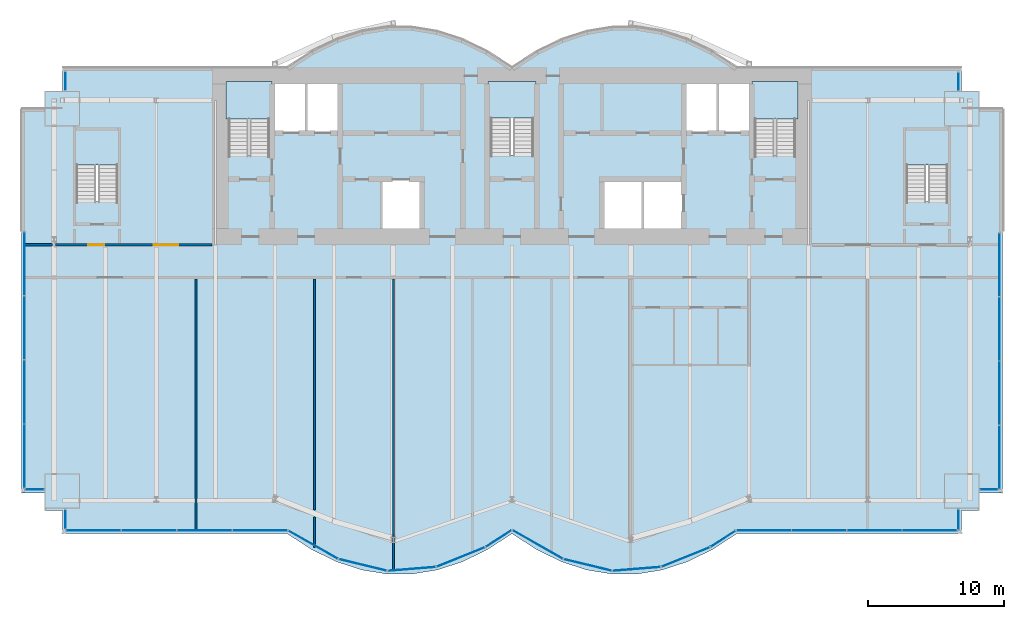
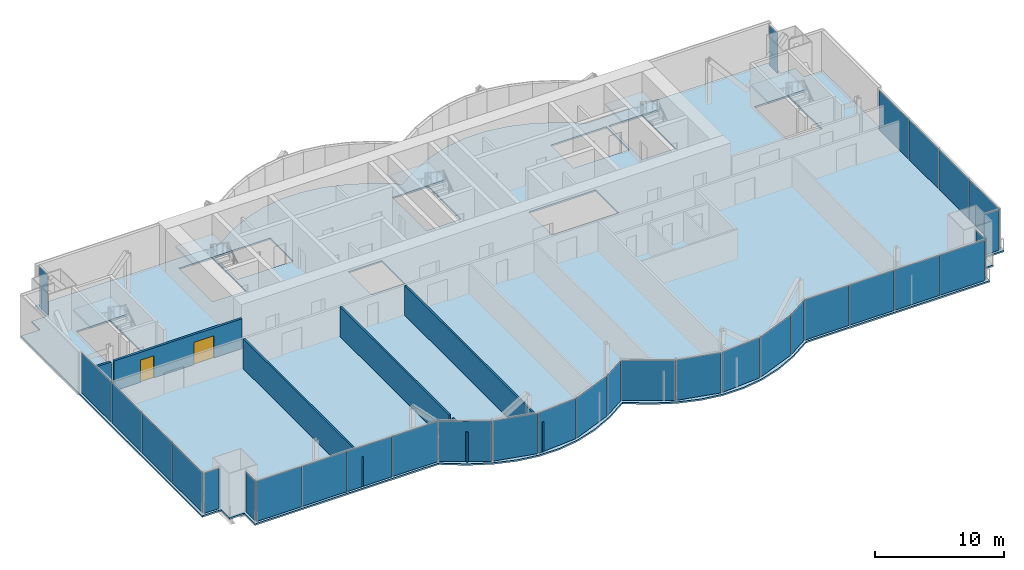
# One storey, part 14 of 21: 32 plates, 7 walls, 6 slabs, 2 doors, 2 openings, 17 elements without a shape of their own.
"""IFC4 building model written with IfcOpenShell, lengths in metres."""

from ifc_helpers import new_model, si_unit, direction, frame, frame_2d, origin, origin_2d, place, context, subcontext, project, spatial, polyline, rectangle, outline, extrude, material, layer, layer_set, type_object, element, fill, aggregate, save


model = new_model("IFC4")

# Units and contexts
model_context = context("Model", 3, precision=1e-05, world=origin(), true_north=direction((0.0, 1.0)))
body_context = subcontext(model_context, "Body", "Model", "MODEL_VIEW")
ifc_project = project(units=[si_unit("LENGTHUNIT", "METRE"), si_unit("AREAUNIT", "SQUARE_METRE"), si_unit("VOLUMEUNIT", "CUBIC_METRE"), si_unit("PLANEANGLEUNIT", "RADIAN"), si_unit("MASSUNIT", "GRAM", prefix="KILO")], contexts=[model_context])

# Site, building, storey
site_placement = place(None, origin())
site = spatial("IfcSite", under=ifc_project, at=site_placement, CompositionType="ELEMENT")
building_placement = place(site_placement, origin())
building = spatial("IfcBuilding", under=site, at=building_placement, Name="Bicima Exchange Tower", CompositionType="ELEMENT")
storey_placement = place(building_placement, frame((0.0, 0.0, 173.199951171875)))
storey = spatial("IfcBuildingStorey", under=building, at=storey_placement, Name="L38", CompositionType="ELEMENT", Elevation=173.199951171875)

# Slab
ifc_material_1 = material(Name="Concrete C40/50", Category="concrete")
ifc_layer_1 = layer(ifc_material_1, 0.14990234375)
ifc_layer_set_1 = layer_set([ifc_layer_1], Name="Concrete C40/50")
slab_type_1 = type_object("IfcSlabType", Name="Composite floor slab 150", PredefinedType="FLOOR", material=ifc_layer_set_1)
slab_1_placement = place(storey_placement, frame((0.0, 0.0, -0.14990234375)))
element("IfcSlab", 1, at=slab_1_placement, inside=storey, type_object=slab_type_1, Name="Floor slab", PredefinedType="FLOOR", context=body_context, shape_type="SweptSolid", body=[
    extrude(outline(polyline([(-36.0, -31.19189453125), (-36.0, -3.0), (-34.300048828125, -3.0), (-34.300048828125, -1.699951171875), (-33.0, -1.699951171875), (-33.0, 0.0), (-16.5, 0.0), (-14.666748046875, 1.185302734375), (-12.833251953125, 2.07421875), (-11.0, 2.666748046875), (-9.166748046875, 2.962890625), (-7.333251953125, 2.962890625), (-5.5, 2.666748046875), (-3.666748046875, 2.07421875), (-1.833251953125, 1.185302734375), (0.0, 0.0), (1.833251953125, 1.185302734375), (3.666748046875, 2.07421875), (5.5, 2.666748046875), (7.333251953125, 2.962890625), (9.166748046875, 2.962890625), (11.0, 2.666748046875), (12.833251953125, 2.07421875), (14.666748046875, 1.185302734375), (16.5, 0.0), (33.0, 0.0), (33.0, -1.699951171875), (34.300048828125, -1.699951171875), (34.300048828125, -3.0), (36.0, -3.0), (36.0, -31.19189453125), (34.300048828125, -31.19189453125), (34.300048828125, -32.491943359375), (33.0, -32.491943359375), (33.0, -34.19189453125), (16.5, -34.19189453125), (14.666748046875, -35.377197265625), (12.833251953125, -36.26611328125), (11.0, -36.858642578125), (9.166748046875, -37.155029296875), (7.333251953125, -37.155029296875), (5.5, -36.858642578125), (3.666748046875, -36.26611328125), (1.833251953125, -35.377197265625), (0.0, -34.19189453125), (-1.833251953125, -35.377197265625), (-3.666748046875, -36.26611328125), (-5.5, -36.858642578125), (-7.333251953125, -37.155029296875), (-9.166748046875, -37.155029296875), (-11.0, -36.858642578125), (-12.833251953125, -36.26611328125), (-14.666748046875, -35.377197265625), (-16.5, -34.19189453125), (-33.0, -34.19189453125), (-33.0, -32.491943359375), (-34.300048828125, -32.491943359375), (-34.300048828125, -31.19189453125), (-36.0, -31.19189453125)]), holes=[polyline([(-6.60009765625, -11.800048828125), (-6.60009765625, -8.199951171875), (-9.60009765625, -8.199951171875), (-9.60009765625, -11.800048828125), (-6.60009765625, -11.800048828125)]), polyline([(-31.97509765625, -9.824951171875), (-28.925048828125, -9.824951171875), (-28.925048828125, -4.625), (-31.97509765625, -4.625), (-31.97509765625, -9.824951171875)]), polyline([(-20.800048828125, -6.449951171875), (-17.800048828125, -6.449951171875), (-17.800048828125, -1.199951171875), (-20.800048828125, -1.199951171875), (-20.800048828125, -6.449951171875)]), polyline([(1.574951171875, -6.39990234375), (1.574951171875, -1.199951171875), (-1.574951171875, -1.199951171875), (-1.574951171875, -6.39990234375), (1.574951171875, -6.39990234375)]), polyline([(-12.60009765625, -4.800048828125), (-12.60009765625, -1.199951171875), (-15.10009765625, -1.199951171875), (-17.60009765625, -1.199951171875), (-17.60009765625, -4.800048828125), (-15.10009765625, -4.800048828125), (-12.60009765625, -4.800048828125)]), polyline([(12.60009765625, -8.199951171875), (9.60009765625, -8.199951171875), (6.60009765625, -8.199951171875), (6.60009765625, -11.800048828125), (9.60009765625, -11.800048828125), (12.60009765625, -11.800048828125), (12.60009765625, -8.199951171875)]), polyline([(28.925048828125, -9.824951171875), (31.97509765625, -9.824951171875), (31.97509765625, -4.625), (28.925048828125, -4.625), (28.925048828125, -9.824951171875)]), polyline([(20.800048828125, -6.449951171875), (20.800048828125, -1.199951171875), (17.800048828125, -1.199951171875), (17.800048828125, -6.449951171875), (20.800048828125, -6.449951171875)]), polyline([(17.60009765625, -4.800048828125), (17.60009765625, -1.199951171875), (15.10009765625, -1.199951171875), (12.60009765625, -1.199951171875), (12.60009765625, -4.800048828125), (15.10009765625, -4.800048828125), (17.60009765625, -4.800048828125)])]), origin(), (0.0, 0.0, 1.0), 0.14990234375),
])

# Curtain wall, plates
ifc_material_2 = material(Name="Anodised bronze aluminium", Category="aluminium")
curtain_wall_type_1 = type_object("IfcCurtainWallType", Name="End face glass wall", PredefinedType="NOTDEFINED", material=ifc_material_2)
curtain_wall_1_placement = place(storey_placement, origin())
curtain_wall_1 = element("IfcCurtainWall", 2, at=curtain_wall_1_placement, inside=storey, type_object=curtain_wall_type_1, Name="End face glass wall L38 run 2", PredefinedType="NOTDEFINED")
ifc_material_3 = material(Name="Bronze tinted glass", Category="glass")
ifc_layer_2 = layer(ifc_material_3, 0.031982421875)
ifc_layer_set_2 = layer_set([ifc_layer_2], Name="Bronze tinted glass")
plate_type_1 = type_object("IfcPlateType", Name="End face glass wall glass panel 32", PredefinedType="CURTAIN_PANEL", material=ifc_layer_set_2)
plate_1_placement = place(storey_placement, frame((-35.77001953125, -19.08837890625, 0.0), z_axis=(0.0, 0.0, 1.0), x_axis=(0.0, -1.0, 0.0)))
plate_1 = element("IfcPlate", 3, at=plate_1_placement, type_object=plate_type_1, Name="End face glass wall panel 2.1", PredefinedType="CURTAIN_PANEL", context=body_context, shape_type="SweptSolid", body=[
    extrude(rectangle(XDim=4.6455078125, YDim=0.031982421875, at=origin_2d()), origin(), (0.0, 0.0, 1.0), 3.81005859375),
])
plate_2_placement = place(storey_placement, frame((-35.77001953125, -28.499267578125, 0.0), z_axis=(0.0, 0.0, 1.0), x_axis=(0.0, -1.0, 0.0)))
plate_2 = element("IfcPlate", 4, at=plate_2_placement, type_object=plate_type_1, Name="End face glass wall panel 4.1", PredefinedType="CURTAIN_PANEL", context=body_context, shape_type="SweptSolid", body=[
    extrude(rectangle(XDim=4.6455078125, YDim=0.031982421875, at=origin_2d()), origin(), (0.0, 0.0, 1.0), 3.81005859375),
])

curtain_wall_2_placement = place(storey_placement, origin())
curtain_wall_2 = element("IfcCurtainWall", 5, at=curtain_wall_2_placement, inside=storey, type_object=curtain_wall_type_1, Name="End face glass wall L38 run 19", PredefinedType="NOTDEFINED")
plate_3_placement = place(storey_placement, frame((35.77001953125, -28.579345703125, 0.0), z_axis=(0.0, 0.0, 1.0), x_axis=(0.0, 1.0, 0.0)))
plate_3 = element("IfcPlate", 6, at=plate_3_placement, type_object=plate_type_1, Name="End face glass wall panel 1.1", PredefinedType="CURTAIN_PANEL", context=body_context, shape_type="SweptSolid", body=[
    extrude(rectangle(XDim=4.6455078125, YDim=0.031982421875, at=origin_2d()), origin(), (0.0, 0.0, 1.0), 3.81005859375),
])
plate_4_placement = place(storey_placement, frame((35.77001953125, -19.168212890625, 0.0), z_axis=(0.0, 0.0, 1.0), x_axis=(0.0, 1.0, 0.0)))
plate_4 = element("IfcPlate", 7, at=plate_4_placement, type_object=plate_type_1, Name="End face glass wall panel 3.1", PredefinedType="CURTAIN_PANEL", context=body_context, shape_type="SweptSolid", body=[
    extrude(rectangle(XDim=4.6455078125, YDim=0.031982421875, at=origin_2d()), origin(), (0.0, 0.0, 1.0), 3.81005859375),
])

# Plate
ifc_material_4 = material(Name="Bronze anodised aluminium", Category="aluminium")
ifc_layer_3 = layer(ifc_material_4, 0.031982421875)
ifc_layer_set_3 = layer_set([ifc_layer_3], Name="Bronze anodised aluminium")
plate_type_2 = type_object("IfcPlateType", Name="End face glass wall spandrel panel 32", PredefinedType="CURTAIN_PANEL", material=ifc_layer_set_3)
plate_5_placement = place(storey_placement, frame((-35.77001953125, -14.3828125, 0.0), z_axis=(0.0, 0.0, 1.0), x_axis=(0.0, -1.0, 0.0)))
plate_5 = element("IfcPlate", 8, at=plate_5_placement, type_object=plate_type_2, Name="End face spandrel wall panel 1.1", PredefinedType="CURTAIN_PANEL", context=body_context, shape_type="SweptSolid", body=[
    extrude(rectangle(XDim=4.6455078125, YDim=0.031982421875, at=origin_2d()), origin(), (0.0, 0.0, 1.0), 3.81005859375),
])

plate_6_placement = place(storey_placement, frame((-35.77001953125, -23.793701171875, 0.0), z_axis=(0.0, 0.0, 1.0), x_axis=(0.0, -1.0, 0.0)))
plate_6 = element("IfcPlate", 9, at=plate_6_placement, type_object=plate_type_2, Name="End face spandrel wall panel 3.1", PredefinedType="CURTAIN_PANEL", context=body_context, shape_type="SweptSolid", body=[
    extrude(rectangle(XDim=4.6455078125, YDim=0.031982421875, at=origin_2d()), origin(), (0.0, 0.0, 1.0), 3.81005859375),
])

aggregate(curtain_wall_1, [plate_5, plate_1, plate_6, plate_2])

plate_7_placement = place(storey_placement, frame((35.77001953125, -23.873779296875, 0.0), z_axis=(0.0, 0.0, 1.0), x_axis=(0.0, 1.0, 0.0)))
plate_7 = element("IfcPlate", 10, at=plate_7_placement, type_object=plate_type_2, Name="End face spandrel wall panel 2.1", PredefinedType="CURTAIN_PANEL", context=body_context, shape_type="SweptSolid", body=[
    extrude(rectangle(XDim=4.6455078125, YDim=0.031982421875, at=origin_2d()), origin(), (0.0, 0.0, 1.0), 3.81005859375),
])

plate_8_placement = place(storey_placement, frame((35.77001953125, -14.462646484375, 0.0), z_axis=(0.0, 0.0, 1.0), x_axis=(0.0, 1.0, 0.0)))
plate_8 = element("IfcPlate", 11, at=plate_8_placement, type_object=plate_type_2, Name="End face spandrel wall panel 4.1", PredefinedType="CURTAIN_PANEL", context=body_context, shape_type="SweptSolid", body=[
    extrude(rectangle(XDim=4.6455078125, YDim=0.031982421875, at=origin_2d()), origin(), (0.0, 0.0, 1.0), 3.81005859375),
])

aggregate(curtain_wall_2, [plate_3, plate_7, plate_4, plate_8])

# Curtain wall, plate
curtain_wall_type_2 = type_object("IfcCurtainWallType", Name="Front glass wall", PredefinedType="NOTDEFINED", material=ifc_material_2)
curtain_wall_3_placement = place(storey_placement, origin())
curtain_wall_3 = element("IfcCurtainWall", 12, at=curtain_wall_3_placement, inside=storey, type_object=curtain_wall_type_2, Name="Front glass wall L38 run 1", PredefinedType="NOTDEFINED")
ifc_layer_4 = layer(ifc_material_3, 0.031982421875)
ifc_layer_set_4 = layer_set([ifc_layer_4], Name="Bronze tinted glass")
plate_type_3 = type_object("IfcPlateType", Name="Front glass wall glass panel 32", PredefinedType="CURTAIN_PANEL", material=ifc_layer_set_4)
plate_9_placement = place(storey_placement, frame((-32.77001953125, -0.965087890625, 0.0), z_axis=(0.0, 0.0, 1.0), x_axis=(0.0, -1.0, 0.0)))
plate_9 = element("IfcPlate", 13, at=plate_9_placement, type_object=plate_type_3, Name="Front glass wall panel 1.1", PredefinedType="CURTAIN_PANEL", context=body_context, shape_type="SweptSolid", body=[
    extrude(rectangle(XDim=1.35009765625, YDim=0.031982421875, at=origin_2d()), origin(), (0.0, 0.0, 1.0), 3.81005859375),
])
aggregate(curtain_wall_3, [plate_9])

curtain_wall_4_placement = place(storey_placement, origin())
curtain_wall_4 = element("IfcCurtainWall", 14, at=curtain_wall_4_placement, inside=storey, type_object=curtain_wall_type_2, Name="Front glass wall L38 run 3", PredefinedType="NOTDEFINED")
plate_10_placement = place(storey_placement, frame((-35.034912109375, -30.9619140625, 0.0), z_axis=(0.0, 0.0, 1.0), x_axis=(1.0, 0.0, 0.0)))
plate_10 = element("IfcPlate", 15, at=plate_10_placement, type_object=plate_type_3, Name="Front glass wall panel 1.1", PredefinedType="CURTAIN_PANEL", context=body_context, shape_type="SweptSolid", body=[
    extrude(rectangle(XDim=1.35009765625, YDim=0.031982421875, at=origin_2d()), origin(), (0.0, 0.0, 1.0), 3.81005859375),
])
aggregate(curtain_wall_4, [plate_10])

curtain_wall_5_placement = place(storey_placement, origin())
curtain_wall_5 = element("IfcCurtainWall", 16, at=curtain_wall_5_placement, inside=storey, type_object=curtain_wall_type_2, Name="Front glass wall L38 run 4", PredefinedType="NOTDEFINED")
plate_11_placement = place(storey_placement, frame((-32.77001953125, -33.1259765625, 0.0), z_axis=(0.0, 0.0, 1.0), x_axis=(0.0, -1.0, 0.0)))
plate_11 = element("IfcPlate", 17, at=plate_11_placement, type_object=plate_type_3, Name="Front glass wall panel 1.1", PredefinedType="CURTAIN_PANEL", context=body_context, shape_type="SweptSolid", body=[
    extrude(rectangle(XDim=1.39208984375, YDim=0.031982421875, at=origin_2d()), origin(), (0.0, 0.0, 1.0), 3.81005859375),
])
aggregate(curtain_wall_5, [plate_11])

# Curtain wall, plates
curtain_wall_6_placement = place(storey_placement, origin())
curtain_wall_6 = element("IfcCurtainWall", 18, at=curtain_wall_6_placement, inside=storey, type_object=curtain_wall_type_2, Name="Front glass wall L38 run 5", PredefinedType="NOTDEFINED")
plate_12_placement = place(storey_placement, frame((-30.705322265625, -33.9619140625, 0.0), z_axis=(0.0, 0.0, 1.0), x_axis=(1.0, 0.0, 0.0)))
plate_12 = element("IfcPlate", 19, at=plate_12_placement, type_object=plate_type_3, Name="Front glass wall panel 1.1", PredefinedType="CURTAIN_PANEL", context=body_context, shape_type="SweptSolid", body=[
    extrude(rectangle(XDim=4.009521484375, YDim=0.031982421875, at=origin_2d()), origin(), (0.0, 0.0, 1.0), 3.81005859375),
])
plate_13_placement = place(storey_placement, frame((-18.496826171875, -33.9619140625, 0.0), z_axis=(0.0, 0.0, 1.0), x_axis=(1.0, 0.0, 0.0)))
plate_13 = element("IfcPlate", 20, at=plate_13_placement, type_object=plate_type_3, Name="Front glass wall panel 4.1", PredefinedType="CURTAIN_PANEL", context=body_context, shape_type="SweptSolid", body=[
    extrude(rectangle(XDim=4.009521484375, YDim=0.031982421875, at=origin_2d()), origin(), (0.0, 0.0, 1.0), 3.81005859375),
])

curtain_wall_7_placement = place(storey_placement, origin())
curtain_wall_7 = element("IfcCurtainWall", 21, at=curtain_wall_7_placement, inside=storey, type_object=curtain_wall_type_2, Name="Front glass wall L38 run 6", PredefinedType="NOTDEFINED")
plate_14_placement = place(storey_placement, frame((-14.589599609375, -35.007080078125, 0.0), z_axis=(0.0, 0.0, 1.0), x_axis=(0.869805110681, -0.493395449343, 0.0)))
plate_14 = element("IfcPlate", 22, at=plate_14_placement, type_object=plate_type_3, Name="Front glass wall panel 1.1", PredefinedType="CURTAIN_PANEL", context=body_context, shape_type="SweptSolid", body=[
    extrude(rectangle(XDim=4.1162109375, YDim=0.031982421875, at=origin_2d()), origin(), (0.0, 0.0, 1.0), 3.81005859375),
])
plate_15_placement = place(storey_placement, frame((-3.750244140625, -35.905517578125, 0.0), z_axis=(0.0, 0.0, 1.0), x_axis=(0.92714396679, 0.374705304, 0.0)))
plate_15 = element("IfcPlate", 23, at=plate_15_placement, type_object=plate_type_3, Name="Front glass wall panel 1.1", PredefinedType="CURTAIN_PANEL", context=body_context, shape_type="SweptSolid", body=[
    extrude(rectangle(XDim=3.771240234375, YDim=0.031982421875, at=origin_2d()), origin(), (0.0, 0.0, 1.0), 3.81005859375),
])
plate_16_placement = place(storey_placement, frame((-0.97314453125, -34.547119140625, 0.0), z_axis=(0.0, 0.0, 1.0), x_axis=(0.839798994301, 0.542897457326, 0.0)))
plate_16 = element("IfcPlate", 24, at=plate_16_placement, type_object=plate_type_3, Name="Front glass wall panel 1.1", PredefinedType="CURTAIN_PANEL", context=body_context, shape_type="SweptSolid", body=[
    extrude(rectangle(XDim=2.197509765625, YDim=0.031982421875, at=origin_2d()), origin(), (0.0, 0.0, 1.0), 3.81005859375),
])

curtain_wall_8_placement = place(storey_placement, origin())
curtain_wall_8 = element("IfcCurtainWall", 25, at=curtain_wall_8_placement, inside=storey, type_object=curtain_wall_type_2, Name="Front glass wall L38 run 11", PredefinedType="NOTDEFINED")
plate_17_placement = place(storey_placement, frame((1.876220703125, -34.985107421875, 0.0), z_axis=(0.0, 0.0, 1.0), x_axis=(0.869274147378, -0.494330311331, 0.0)))
plate_17 = element("IfcPlate", 26, at=plate_17_placement, type_object=plate_type_3, Name="Front glass wall panel 1.1", PredefinedType="CURTAIN_PANEL", context=body_context, shape_type="SweptSolid", body=[
    extrude(rectangle(XDim=4.197021484375, YDim=0.031982421875, at=origin_2d()), origin(), (0.0, 0.0, 1.0), 3.81005859375),
])
plate_18_placement = place(storey_placement, frame((5.55224609375, -36.488525390625, 0.0), z_axis=(0.0, 0.0, 1.0), x_axis=(0.971830343553, -0.235681529503, 0.0)))
plate_18 = element("IfcPlate", 27, at=plate_18_placement, type_object=plate_type_3, Name="Front glass wall panel 1.1", PredefinedType="CURTAIN_PANEL", context=body_context, shape_type="SweptSolid", body=[
    extrude(rectangle(XDim=3.583251953125, YDim=0.031982421875, at=origin_2d()), origin(), (0.0, 0.0, 1.0), 3.81005859375),
])
plate_19_placement = place(storey_placement, frame((12.749755859375, -35.905517578125, 0.0), z_axis=(0.0, 0.0, 1.0), x_axis=(0.92714396679, 0.374705304, 0.0)))
plate_19 = element("IfcPlate", 28, at=plate_19_placement, type_object=plate_type_3, Name="Front glass wall panel 1.1", PredefinedType="CURTAIN_PANEL", context=body_context, shape_type="SweptSolid", body=[
    extrude(rectangle(XDim=3.771240234375, YDim=0.031982421875, at=origin_2d()), origin(), (0.0, 0.0, 1.0), 3.81005859375),
])
plate_20_placement = place(storey_placement, frame((15.492919921875, -34.569091796875, 0.0), z_axis=(0.0, 0.0, 1.0), x_axis=(0.839791413941, 0.542909183079, 0.0)))
plate_20 = element("IfcPlate", 29, at=plate_20_placement, type_object=plate_type_3, Name="Front glass wall panel 1.1", PredefinedType="CURTAIN_PANEL", context=body_context, shape_type="SweptSolid", body=[
    extrude(rectangle(XDim=2.11669921875, YDim=0.031982421875, at=origin_2d()), origin(), (0.0, 0.0, 1.0), 3.81005859375),
])

curtain_wall_9_placement = place(storey_placement, origin())
curtain_wall_9 = element("IfcCurtainWall", 30, at=curtain_wall_9_placement, inside=storey, type_object=curtain_wall_type_2, Name="Front glass wall L38 run 16", PredefinedType="NOTDEFINED")
plate_21_placement = place(storey_placement, frame((18.48681640625, -33.9619140625, 0.0), z_axis=(0.0, 0.0, 1.0), x_axis=(1.0, 0.0, 0.0)))
plate_21 = element("IfcPlate", 31, at=plate_21_placement, type_object=plate_type_3, Name="Front glass wall panel 1.1", PredefinedType="CURTAIN_PANEL", context=body_context, shape_type="SweptSolid", body=[
    extrude(rectangle(XDim=3.989501953125, YDim=0.031982421875, at=origin_2d()), origin(), (0.0, 0.0, 1.0), 3.81005859375),
])
plate_22_placement = place(storey_placement, frame((30.63525390625, -33.9619140625, 0.0), z_axis=(0.0, 0.0, 1.0), x_axis=(1.0, 0.0, 0.0)))
plate_22 = element("IfcPlate", 32, at=plate_22_placement, type_object=plate_type_3, Name="Front glass wall panel 4.1", PredefinedType="CURTAIN_PANEL", context=body_context, shape_type="SweptSolid", body=[
    extrude(rectangle(XDim=3.989501953125, YDim=0.031982421875, at=origin_2d()), origin(), (0.0, 0.0, 1.0), 3.81005859375),
])

# Curtain wall, plate
curtain_wall_10_placement = place(storey_placement, origin())
curtain_wall_10 = element("IfcCurtainWall", 33, at=curtain_wall_10_placement, inside=storey, type_object=curtain_wall_type_2, Name="Front glass wall L38 run 17", PredefinedType="NOTDEFINED")
plate_23_placement = place(storey_placement, frame((32.77001953125, -33.166015625, 0.0), z_axis=(0.0, 0.0, 1.0), x_axis=(0.0, 1.0, 0.0)))
plate_23 = element("IfcPlate", 34, at=plate_23_placement, type_object=plate_type_3, Name="Front glass wall panel 1.1", PredefinedType="CURTAIN_PANEL", context=body_context, shape_type="SweptSolid", body=[
    extrude(rectangle(XDim=1.471923828125, YDim=0.031982421875, at=origin_2d()), origin(), (0.0, 0.0, 1.0), 3.81005859375),
])
aggregate(curtain_wall_10, [plate_23])

curtain_wall_11_placement = place(storey_placement, origin())
curtain_wall_11 = element("IfcCurtainWall", 35, at=curtain_wall_11_placement, inside=storey, type_object=curtain_wall_type_2, Name="Front glass wall L38 run 18", PredefinedType="NOTDEFINED")
plate_24_placement = place(storey_placement, frame((34.9951171875, -30.9619140625, 0.0), z_axis=(0.0, 0.0, 1.0), x_axis=(1.0, 0.0, 0.0)))
plate_24 = element("IfcPlate", 36, at=plate_24_placement, type_object=plate_type_3, Name="Front glass wall panel 1.1", PredefinedType="CURTAIN_PANEL", context=body_context, shape_type="SweptSolid", body=[
    extrude(rectangle(XDim=1.27001953125, YDim=0.031982421875, at=origin_2d()), origin(), (0.0, 0.0, 1.0), 3.81005859375),
])
aggregate(curtain_wall_11, [plate_24])

curtain_wall_12_placement = place(storey_placement, origin())
curtain_wall_12 = element("IfcCurtainWall", 37, at=curtain_wall_12_placement, inside=storey, type_object=curtain_wall_type_2, Name="Front glass wall L38 run 20", PredefinedType="NOTDEFINED")
plate_25_placement = place(storey_placement, frame((32.77001953125, -1.0048828125, 0.0), z_axis=(0.0, 0.0, 1.0), x_axis=(0.0, 1.0, 0.0)))
plate_25 = element("IfcPlate", 38, at=plate_25_placement, type_object=plate_type_3, Name="Front glass wall panel 1.1", PredefinedType="CURTAIN_PANEL", context=body_context, shape_type="SweptSolid", body=[
    extrude(rectangle(XDim=1.27001953125, YDim=0.031982421875, at=origin_2d()), origin(), (0.0, 0.0, 1.0), 3.81005859375),
])
aggregate(curtain_wall_12, [plate_25])

# Plate
ifc_layer_5 = layer(ifc_material_4, 0.031982421875)
ifc_layer_set_5 = layer_set([ifc_layer_5], Name="Bronze anodised aluminium")
plate_type_4 = type_object("IfcPlateType", Name="Front glass wall spandrel panel 32", PredefinedType="CURTAIN_PANEL", material=ifc_layer_set_5)
plate_26_placement = place(storey_placement, frame((-26.6357421875, -33.9619140625, 0.0), z_axis=(0.0, 0.0, 1.0), x_axis=(1.0, 0.0, 0.0)))
plate_26 = element("IfcPlate", 39, at=plate_26_placement, type_object=plate_type_4, Name="Front spandrel wall panel 2.1", PredefinedType="CURTAIN_PANEL", context=body_context, shape_type="SweptSolid", body=[
    extrude(rectangle(XDim=4.009521484375, YDim=0.031982421875, at=origin_2d()), origin(), (0.0, 0.0, 1.0), 3.81005859375),
])

plate_27_placement = place(storey_placement, frame((-22.56640625, -33.9619140625, 0.0), z_axis=(0.0, 0.0, 1.0), x_axis=(1.0, 0.0, 0.0)))
plate_27 = element("IfcPlate", 40, at=plate_27_placement, type_object=plate_type_4, Name="Front spandrel wall panel 3.1", PredefinedType="CURTAIN_PANEL", context=body_context, shape_type="SweptSolid", body=[
    extrude(rectangle(XDim=4.009521484375, YDim=0.031982421875, at=origin_2d()), origin(), (0.0, 0.0, 1.0), 3.81005859375),
])

aggregate(curtain_wall_6, [plate_12, plate_26, plate_27, plate_13])

plate_28_placement = place(storey_placement, frame((-10.94775390625, -36.488525390625, 0.0), z_axis=(0.0, 0.0, 1.0), x_axis=(0.971830343553, -0.235681529503, 0.0)))
plate_28 = element("IfcPlate", 41, at=plate_28_placement, type_object=plate_type_4, Name="Front spandrel wall panel 1.1", PredefinedType="CURTAIN_PANEL", context=body_context, shape_type="SweptSolid", body=[
    extrude(rectangle(XDim=3.583251953125, YDim=0.031982421875, at=origin_2d()), origin(), (0.0, 0.0, 1.0), 3.81005859375),
])

plate_29_placement = place(storey_placement, frame((-7.35107421875, -36.77978515625, 0.0), z_axis=(0.0, 0.0, 1.0), x_axis=(0.99674744821, 0.080588612633, 0.0)))
plate_29 = element("IfcPlate", 42, at=plate_29_placement, type_object=plate_type_4, Name="Front spandrel wall panel 1.1", PredefinedType="CURTAIN_PANEL", context=body_context, shape_type="SweptSolid", body=[
    extrude(rectangle(XDim=3.486083984375, YDim=0.031982421875, at=origin_2d()), origin(), (0.0, 0.0, 1.0), 3.81005859375),
])

aggregate(curtain_wall_7, [plate_14, plate_28, plate_29, plate_15, plate_16])

plate_30_placement = place(storey_placement, frame((9.14892578125, -36.77978515625, 0.0), z_axis=(0.0, 0.0, 1.0), x_axis=(0.99674744821, 0.080588612633, 0.0)))
plate_30 = element("IfcPlate", 43, at=plate_30_placement, type_object=plate_type_4, Name="Front spandrel wall panel 1.1", PredefinedType="CURTAIN_PANEL", context=body_context, shape_type="SweptSolid", body=[
    extrude(rectangle(XDim=3.486083984375, YDim=0.031982421875, at=origin_2d()), origin(), (0.0, 0.0, 1.0), 3.81005859375),
])

aggregate(curtain_wall_8, [plate_17, plate_18, plate_30, plate_19, plate_20])

plate_31_placement = place(storey_placement, frame((22.536376953125, -33.9619140625, 0.0), z_axis=(0.0, 0.0, 1.0), x_axis=(1.0, 0.0, 0.0)))
plate_31 = element("IfcPlate", 44, at=plate_31_placement, type_object=plate_type_4, Name="Front spandrel wall panel 2.1", PredefinedType="CURTAIN_PANEL", context=body_context, shape_type="SweptSolid", body=[
    extrude(rectangle(XDim=3.989501953125, YDim=0.031982421875, at=origin_2d()), origin(), (0.0, 0.0, 1.0), 3.81005859375),
])

plate_32_placement = place(storey_placement, frame((26.585693359375, -33.9619140625, 0.0), z_axis=(0.0, 0.0, 1.0), x_axis=(1.0, 0.0, 0.0)))
plate_32 = element("IfcPlate", 45, at=plate_32_placement, type_object=plate_type_4, Name="Front spandrel wall panel 3.1", PredefinedType="CURTAIN_PANEL", context=body_context, shape_type="SweptSolid", body=[
    extrude(rectangle(XDim=3.989501953125, YDim=0.031982421875, at=origin_2d()), origin(), (0.0, 0.0, 1.0), 3.81005859375),
])

aggregate(curtain_wall_9, [plate_21, plate_31, plate_32, plate_22])

# Stair, slab
ifc_material_5 = material(Name="Concrete C50/60", Category="concrete")
stair_type_1 = type_object("IfcStairType", Name="Exit stair", PredefinedType="HALF_TURN_STAIR", material=ifc_material_5)
stair_1_placement = place(storey_placement, origin())
stair_1 = element("IfcStair", 46, at=stair_1_placement, inside=storey, type_object=stair_type_1, Name="L38 West exit stair", PredefinedType="HALF_TURN_STAIR")
ifc_layer_6 = layer(ifc_material_5, 0.199951171875)
ifc_layer_set_6 = layer_set([ifc_layer_6], Name="Concrete C50/60")
slab_type_2 = type_object("IfcSlabType", Name="Stair landing slab", PredefinedType="LANDING", material=ifc_layer_set_6)
slab_2_placement = place(storey_placement, frame((0.0, 0.0, 1.85009765625)))
slab_2 = element("IfcSlab", 47, at=slab_2_placement, type_object=slab_type_2, Name="ST-W landing 1", PredefinedType="LANDING", context=body_context, shape_type="SweptSolid", body=[
    extrude(outline(polyline([(-17.60009765625, -3.75), (-17.60009765625, -1.0), (-21.0, -1.0), (-21.0, -3.75), (-17.60009765625, -3.75)])), origin(), (0.0, 0.0, 1.0), 0.199951171875),
])
aggregate(stair_1, [slab_2])

stair_type_2 = type_object("IfcStairType", Name="Exit stair 1500", PredefinedType="HALF_TURN_STAIR", material=ifc_material_5)
stair_2_placement = place(storey_placement, origin())
stair_2 = element("IfcStair", 48, at=stair_2_placement, inside=storey, type_object=stair_type_2, Name="L38 Central exit stair", PredefinedType="HALF_TURN_STAIR")
slab_3_placement = place(storey_placement, frame((0.0, 0.0, 1.85009765625)))
slab_3 = element("IfcSlab", 49, at=slab_3_placement, type_object=slab_type_2, Name="ST-C landing 1", PredefinedType="LANDING", context=body_context, shape_type="SweptSolid", body=[
    extrude(outline(polyline([(1.77490234375, -3.699951171875), (1.77490234375, -1.0), (-1.77490234375, -1.0), (-1.77490234375, -3.699951171875), (1.77490234375, -3.699951171875)])), origin(), (0.0, 0.0, 1.0), 0.199951171875),
])
aggregate(stair_2, [slab_3])

stair_3_placement = place(storey_placement, origin())
stair_3 = element("IfcStair", 50, at=stair_3_placement, inside=storey, type_object=stair_type_1, Name="L38 East exit stair", PredefinedType="HALF_TURN_STAIR")
slab_4_placement = place(storey_placement, frame((0.0, 0.0, 1.85009765625)))
slab_4 = element("IfcSlab", 51, at=slab_4_placement, type_object=slab_type_2, Name="ST-E landing 1", PredefinedType="LANDING", context=body_context, shape_type="SweptSolid", body=[
    extrude(outline(polyline([(21.0, -3.75), (21.0, -1.0), (17.60009765625, -1.0), (17.60009765625, -3.75), (21.0, -3.75)])), origin(), (0.0, 0.0, 1.0), 0.199951171875),
])
aggregate(stair_3, [slab_4])

stair_4_placement = place(storey_placement, origin())
stair_4 = element("IfcStair", 52, at=stair_4_placement, inside=storey, type_object=stair_type_1, Name="L38 West end exit stair", PredefinedType="HALF_TURN_STAIR")
slab_5_placement = place(storey_placement, frame((0.0, 0.0, 1.85009765625)))
slab_5 = element("IfcSlab", 53, at=slab_5_placement, type_object=slab_type_2, Name="ST-WW landing 1", PredefinedType="LANDING", context=body_context, shape_type="SweptSolid", body=[
    extrude(outline(polyline([(-28.72509765625, -7.125), (-28.72509765625, -4.425048828125), (-32.175048828125, -4.425048828125), (-32.175048828125, -7.125), (-28.72509765625, -7.125)])), origin(), (0.0, 0.0, 1.0), 0.199951171875),
])
aggregate(stair_4, [slab_5])

stair_5_placement = place(storey_placement, origin())
stair_5 = element("IfcStair", 54, at=stair_5_placement, inside=storey, type_object=stair_type_1, Name="L38 East end exit stair", PredefinedType="HALF_TURN_STAIR")
slab_6_placement = place(storey_placement, frame((0.0, 0.0, 1.85009765625)))
slab_6 = element("IfcSlab", 55, at=slab_6_placement, type_object=slab_type_2, Name="ST-EE landing 1", PredefinedType="LANDING", context=body_context, shape_type="SweptSolid", body=[
    extrude(outline(polyline([(32.175048828125, -7.125), (32.175048828125, -4.425048828125), (28.72509765625, -4.425048828125), (28.72509765625, -7.125), (32.175048828125, -7.125)])), origin(), (0.0, 0.0, 1.0), 0.199951171875),
])
aggregate(stair_5, [slab_6])

# Wall
ifc_material_6 = material(Name="Gypsum board partition")
ifc_layer_7 = layer(ifc_material_6, 0.199951171875)
ifc_layer_set_7 = layer_set([ifc_layer_7], Name="Gypsum board partition")
wall_type_1 = type_object("IfcWallType", Name="Fire-rated gypsum partition 200 EI60", PredefinedType="PARTITIONING", material=ifc_layer_set_7)
wall_1_placement = place(storey_placement, frame((-35.679931640625, -13.0, 0.0), z_axis=(0.0, 0.0, 1.0), x_axis=(1.0, 0.0, 0.0)))
element("IfcWall", 56, at=wall_1_placement, inside=storey, type_object=wall_type_1, Name="partition wall 4", PredefinedType="PARTITIONING", context=body_context, shape_type="SweptSolid", body=[
    extrude(rectangle(XDim=1.9599609375, YDim=0.199951171875, at=frame_2d((0.97998046875, 0.0))), origin(), (0.0, 0.0, 1.0), 2.84033203125),
])

# Wall, openings, doors
wall_2_placement = place(storey_placement, frame((-33.47998046875, -13.0, 0.0), z_axis=(0.0, 0.0, 1.0), x_axis=(1.0, 0.0, 0.0)))
wall_2 = element("IfcWall", 57, at=wall_2_placement, inside=storey, type_object=wall_type_1, Name="partition wall 5", PredefinedType="PARTITIONING", context=body_context, shape_type="SweptSolid", body=[
    extrude(rectangle(XDim=11.47998046875, YDim=0.199951171875, at=frame_2d((5.739990234375, 0.0))), origin(), (0.0, 0.0, 1.0), 2.84033203125),
])
opening_1_placement = place(wall_2_placement, frame((2.3798828125, 0.0, 0.0)))
opening_1 = element("IfcOpeningElement", 58, at=opening_1_placement, cuts=wall_2, Name="Opening L38-001", PredefinedType="OPENING", context=body_context, shape_type="SweptSolid", body=[
    extrude(rectangle(XDim=1.199951171875, YDim=2.10009765625, at=frame_2d((0.60009765625, 1.050048828125))), frame((0.0, 0.11181640625, 0.0), z_axis=(0.0, -1.0, 0.0), x_axis=(1.0, 0.0, 0.0)), (0.0, 0.0, 1.0), 0.223876953125),
])
opening_2_placement = place(wall_2_placement, frame((7.179931640625, 0.0, 0.0)))
opening_2 = element("IfcOpeningElement", 59, at=opening_2_placement, cuts=wall_2, Name="Opening L38-005", PredefinedType="OPENING", context=body_context, shape_type="SweptSolid", body=[
    extrude(rectangle(XDim=1.800048828125, YDim=2.10009765625, at=frame_2d((0.89990234375, 1.050048828125))), frame((0.0, 0.11181640625, 0.0), z_axis=(0.0, -1.0, 0.0), x_axis=(1.0, 0.0, 0.0)), (0.0, 0.0, 1.0), 0.223876953125),
])
ifc_material_7 = material(Name="Steel fire door leaf", Category="steel")
door_type_1 = type_object("IfcDoorType", Name="Door 1200 swing FD30S", OperationType="SINGLE_SWING_LEFT", PredefinedType="DOOR", material=ifc_material_7)
door_1_placement = place(opening_1_placement, origin())
door_1 = element("IfcDoor", 60, at=door_1_placement, inside=storey, type_object=door_type_1, Name="Door", OperationType="SINGLE_SWING_LEFT", OverallHeight=2.10009765625, OverallWidth=1.199951171875, PredefinedType="DOOR", context=body_context, shape_type="SweptSolid", body=[
    extrude(rectangle(XDim=1.199951171875, YDim=2.10009765625, at=frame_2d((0.60009765625, 1.050048828125))), frame((0.0, 0.02490234375, 0.0), z_axis=(0.0, -1.0, 0.0), x_axis=(1.0, 0.0, 0.0)), (0.0, 0.0, 1.0), 0.050048828125),
])
fill(opening_1, door_1)
door_type_2 = type_object("IfcDoorType", Name="Door 1800 double swing FD30S", OperationType="DOUBLE_DOOR_SINGLE_SWING", PredefinedType="DOOR", material=ifc_material_7)
door_2_placement = place(opening_2_placement, origin())
door_2 = element("IfcDoor", 61, at=door_2_placement, inside=storey, type_object=door_type_2, Name="Door", OperationType="SINGLE_SWING_LEFT", OverallHeight=2.10009765625, OverallWidth=1.800048828125, PredefinedType="DOOR", context=body_context, shape_type="SweptSolid", body=[
    extrude(rectangle(XDim=1.800048828125, YDim=2.10009765625, at=frame_2d((0.89990234375, 1.050048828125))), frame((0.0, 0.02490234375, 0.0), z_axis=(0.0, -1.0, 0.0), x_axis=(1.0, 0.0, 0.0)), (0.0, 0.0, 1.0), 0.050048828125),
])
fill(opening_2, door_2)

# Walls
ifc_layer_8 = layer(ifc_material_6, 0.14990234375)
ifc_layer_set_8 = layer_set([ifc_layer_8], Name="Gypsum board partition")
wall_type_2 = type_object("IfcWallType", Name="Gypsum partition 150", PredefinedType="PARTITIONING", material=ifc_layer_set_8)
wall_3_placement = place(storey_placement, frame((-23.199951171875, -33.97998046875, 0.0), z_axis=(0.0, 0.0, 1.0), x_axis=(0.0, 1.0, 0.0)))
element("IfcWall", 62, at=wall_3_placement, inside=storey, type_object=wall_type_2, Name="partition wall 14", PredefinedType="PARTITIONING", context=body_context, shape_type="SweptSolid", body=[
    extrude(rectangle(XDim=18.47998046875, YDim=0.14990234375, at=frame_2d((9.239990234375, 0.0))), origin(), (0.0, 0.0, 1.0), 2.84033203125),
])
wall_4_placement = place(storey_placement, frame((-14.5, -35.219970703125, 0.0), z_axis=(0.0, 0.0, 1.0), x_axis=(0.0, 1.0, 0.0)))
element("IfcWall", 63, at=wall_4_placement, inside=storey, type_object=wall_type_2, Name="partition wall 15", PredefinedType="PARTITIONING", context=body_context, shape_type="SweptSolid", body=[
    extrude(rectangle(XDim=2.2685546875, YDim=0.14990234375, at=frame_2d((1.13427734375, 0.0))), origin(), (0.0, 0.0, 1.0), 2.84033203125),
])
wall_5_placement = place(storey_placement, frame((-14.5, -32.4638671875, 0.0), z_axis=(0.0, 0.0, 1.0), x_axis=(0.0, 1.0, 0.0)))
element("IfcWall", 64, at=wall_5_placement, inside=storey, type_object=wall_type_2, Name="partition wall 16", PredefinedType="PARTITIONING", context=body_context, shape_type="SweptSolid", body=[
    extrude(rectangle(XDim=16.9638671875, YDim=0.14990234375, at=frame_2d((8.48193359375, 0.0))), origin(), (0.0, 0.0, 1.0), 2.84033203125),
])
wall_6_placement = place(storey_placement, frame((-8.699951171875, -36.93994140625, 0.0), z_axis=(0.0, 0.0, 1.0), x_axis=(0.0, 1.0, 0.0)))
element("IfcWall", 65, at=wall_6_placement, inside=storey, type_object=wall_type_2, Name="partition wall 17", PredefinedType="PARTITIONING", context=body_context, shape_type="SweptSolid", body=[
    extrude(rectangle(XDim=2.63818359375, YDim=0.14990234375, at=frame_2d((1.319091796875, 0.0))), origin(), (0.0, 0.0, 1.0), 2.84033203125),
])
wall_7_placement = place(storey_placement, frame((-8.699951171875, -34.3017578125, 0.0), z_axis=(0.0, 0.0, 1.0), x_axis=(0.0, 1.0, 0.0)))
element("IfcWall", 66, at=wall_7_placement, inside=storey, type_object=wall_type_2, Name="partition wall 18", PredefinedType="PARTITIONING", context=body_context, shape_type="SweptSolid", body=[
    extrude(rectangle(XDim=18.8017578125, YDim=0.14990234375, at=frame_2d((9.40087890625, 0.0))), origin(), (0.0, 0.0, 1.0), 2.84033203125),
])

save(model, "model.ifc")
